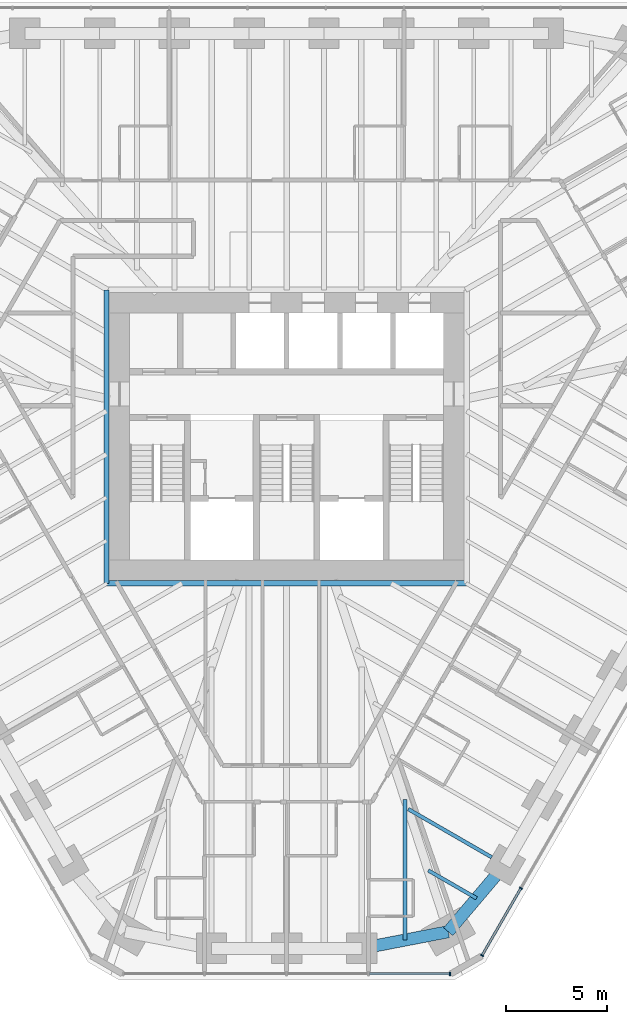
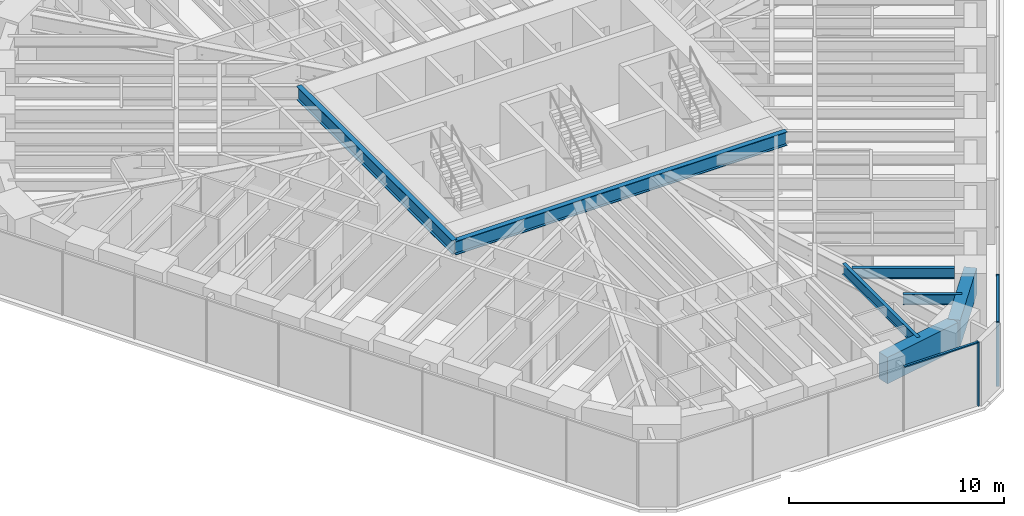
# One storey, part 4 of 17: 7 beams, 5 members, 2 elements without a shape of their own.
"""IFC4 building model written with IfcOpenShell, lengths in metres."""

import ifcopenshell
import ifcopenshell.guid

model = None  # the IFC model being written
_history = None  # IfcOwnerHistory: only IFC2X3 demands one
_inside = {}  # id of a spatial element -> (the spatial element, [elements in it])
_under = {}  # id of a project, library or spatial element -> (it, [spatial elements below it])
_declared = {}  # id of a project -> (the project, [libraries it declares])
_typed = {}  # id of a type object -> (the type object, [elements of that type])
_made_of = {}  # id of a material, layer set ... -> (it, [elements and type objects made of it])


def new_model(schema):
    """Start an empty IFC model of exactly this schema.

    Asked for "IFC4X3", IfcOpenShell would pick the latest addendum, in which some entities
    have other attributes; the version numbers below select the first issue.
    IFC2X3 requires an IfcOwnerHistory on every rooted entity: one is made here for all.
    """
    global model, _history
    if schema == "IFC4X3":
        model = ifcopenshell.file(schema_version=(4, 3, 0, 0))
    else:
        model = ifcopenshell.file(schema=schema)
    _inside.clear()
    _under.clear()
    _declared.clear()
    _typed.clear()
    _made_of.clear()
    _history = None
    if model.schema == "IFC2X3":
        org = make("IfcOrganization", Name="unknown")
        user = make(
            "IfcPersonAndOrganization",
            ThePerson=make("IfcPerson", FamilyName="unknown"),
            TheOrganization=org,
        )
        app = make(
            "IfcApplication",
            ApplicationDeveloper=org,
            Version="unknown",
            ApplicationFullName="unknown",
            ApplicationIdentifier="unknown",
        )
        _history = make(
            "IfcOwnerHistory",
            OwningUser=user,
            OwningApplication=app,
            ChangeAction="ADDED",
            CreationDate=0,
        )
    return model


def make(cls, **values):
    """One entity of the class cls with the attributes given. An attribute that is None is left unset."""
    return model.create_entity(
        cls, **{name: value for name, value in values.items() if value is not None}
    )


def rooted(cls, **values):
    """An entity with a GlobalId (a new one), such as an element, a storey or a relation."""
    return make(cls, GlobalId=ifcopenshell.guid.new(), OwnerHistory=_history, **values)


def si_unit(unit_type, name, prefix=None):
    """IfcSIUnit, for example si_unit("LENGTHUNIT", "METRE", prefix="MILLI")."""
    return make("IfcSIUnit", UnitType=unit_type, Prefix=prefix, Name=name)


def assignment(units):
    """IfcUnitAssignment: the units of a project."""
    return None if units is None else make("IfcUnitAssignment", Units=units)


def point(xyz):
    """IfcCartesianPoint."""
    return None if xyz is None else make("IfcCartesianPoint", Coordinates=xyz)


def direction(xyz):
    """IfcDirection."""
    return None if xyz is None else make("IfcDirection", DirectionRatios=xyz)


def frame(location, z_axis=None, x_axis=None):
    """IfcAxis2Placement3D, a coordinate frame: its origin and axes. An axis left out is left unset."""
    return make(
        "IfcAxis2Placement3D",
        Location=point(location),
        Axis=direction(z_axis),
        RefDirection=direction(x_axis),
    )


def frame_2d(location, x_axis=None):
    """IfcAxis2Placement2D, a coordinate frame in the plane: its origin and x axis."""
    return make(
        "IfcAxis2Placement2D", Location=point(location), RefDirection=direction(x_axis)
    )


def origin():
    """The frame at (0, 0, 0) with its axes left unset."""
    return frame((0.0, 0.0, 0.0))


def origin_2d():
    """The frame at (0, 0) in the plane with its x axis left unset."""
    return frame_2d((0.0, 0.0))


def place(relative_to, where):
    """IfcLocalPlacement: puts the frame where relative to a parent placement (None: the world)."""
    return make(
        "IfcLocalPlacement", PlacementRelTo=relative_to, RelativePlacement=where
    )


def context(
    kind, dimensions, precision=None, world=None, true_north=None, identifier=None
):
    """IfcGeometricRepresentationContext, for example the 3D "Model" context."""
    return make(
        "IfcGeometricRepresentationContext",
        ContextIdentifier=identifier,
        ContextType=kind,
        CoordinateSpaceDimension=dimensions,
        Precision=precision,
        WorldCoordinateSystem=world,
        TrueNorth=true_north,
    )


def subcontext(parent, identifier, kind, view, scale=None):
    """IfcGeometricRepresentationSubContext, for example "Body" below "Model"."""
    return make(
        "IfcGeometricRepresentationSubContext",
        ContextIdentifier=identifier,
        ContextType=kind,
        ParentContext=parent,
        TargetScale=scale,
        TargetView=view,
    )


def project(units=None, contexts=None):
    """IfcProject with its units and contexts."""
    return rooted(
        "IfcProject",
        Name="project",
        RepresentationContexts=contexts,
        UnitsInContext=assignment(units),
    )


def spatial(cls, under=None, at=None, **own):
    """A site, building, storey or space (cls), placed at a placement, below another one or the project."""
    s = rooted(cls, ObjectPlacement=at, **own)
    if under is not None:
        _under.setdefault(under.id(), (under, []))[1].append(s)
    return s


def profile(cls, at=None, kind="AREA", **sizes):
    """A parametric profile (cls). Its sizes go by their IFC names, for example OverallWidth=200.0."""
    return make(cls, ProfileType=kind, Position=at, **sizes)


def rectangle(**sizes):
    """IfcRectangleProfileDef."""
    return profile("IfcRectangleProfileDef", **sizes)


def i_section(**sizes):
    """IfcIShapeProfileDef."""
    return profile("IfcIShapeProfileDef", **sizes)


def extrude(swept, where, along, depth):
    """IfcExtrudedAreaSolid: the profile swept, set in the frame where, extruded along a direction by depth."""
    return make(
        "IfcExtrudedAreaSolid",
        SweptArea=swept,
        Position=where,
        ExtrudedDirection=direction(along),
        Depth=depth,
    )


def shape(context_of_items, identifier, shape_type, items):
    """IfcShapeRepresentation: the items that make up one representation, for example the "Body"."""
    return make(
        "IfcShapeRepresentation",
        ContextOfItems=context_of_items,
        RepresentationIdentifier=identifier,
        RepresentationType=shape_type,
        Items=items,
    )


def material(Name=None, Category=None):
    """IfcMaterial."""
    return make("IfcMaterial", Name=Name, Category=Category)


def material_profile(
    of_material, cross_section, Name=None, Category=None, Priority=None
):
    """IfcMaterialProfile: a cross section and its material."""
    return make(
        "IfcMaterialProfile",
        Name=Name,
        Material=of_material,
        Profile=cross_section,
        Priority=Priority,
        Category=Category,
    )


def profile_set(profiles, Name=None, composite=None):
    """IfcMaterialProfileSet."""
    return make(
        "IfcMaterialProfileSet",
        Name=Name,
        MaterialProfiles=profiles,
        CompositeProfile=composite,
    )


def made_of(thing, what):
    """Note that an element or type object is made of a material, layer set ...; save() writes the relation."""
    if what is not None:
        _made_of.setdefault(what.id(), (what, []))[1].append(thing)
    return thing


def type_object(cls, material=None, **own):
    """A type object (cls), such as IfcWallType, which elements share."""
    return made_of(rooted(cls, **own), material)


def element(
    cls,
    number,
    at=None,
    inside=None,
    cuts=None,
    type_object=None,
    material=None,
    context=None,
    identifier="Body",
    shape_type=None,
    held_by="IfcProductDefinitionShape",
    body=None,
    shapes=None,
    **own,
):
    """One element of the class cls, such as IfcWall. Its Tag is "e" and its number.

    at: its placement. inside: the storey or other place that contains it. cuts: it is an
    opening in that element (IfcRelVoidsElement). A single representation is given by context,
    identifier, shape_type and body (its items); several are given by shapes. held_by: the class
    of the entity that holds the representations. save() writes the other relations.
    """
    e = rooted(cls, Tag="e%d" % number, ObjectPlacement=at, **own)
    if body is not None:
        shapes = [shape(context, identifier, shape_type, body)]
    if shapes is not None:
        e.Representation = make(held_by, Representations=shapes)
    if inside is not None:
        _inside.setdefault(inside.id(), (inside, []))[1].append(e)
    if cuts is not None:
        rooted(
            "IfcRelVoidsElement", RelatingBuildingElement=cuts, RelatedOpeningElement=e
        )
    if type_object is not None:
        _typed.setdefault(type_object.id(), (type_object, []))[1].append(e)
    return made_of(e, material)


def aggregate(whole, parts):
    """IfcRelAggregates: a whole, such as a stair, and the parts it consists of."""
    return rooted("IfcRelAggregates", RelatingObject=whole, RelatedObjects=parts)


def save(model, path):
    """Write the relations noted so far, then the file.

    IfcRelAggregates (storeys below a building ...), IfcRelContainedInSpatialStructure (elements
    in a storey), IfcRelDefinesByType, IfcRelAssociatesMaterial and IfcRelDeclares: one each for
    every whole, place, type object, material and project.
    """
    for whole, parts in _under.values():
        aggregate(whole, parts)
    for where, things in _inside.values():
        rooted(
            "IfcRelContainedInSpatialStructure",
            RelatedElements=things,
            RelatingStructure=where,
        )
    for kind, things in _typed.values():
        rooted("IfcRelDefinesByType", RelatedObjects=things, RelatingType=kind)
    for what, things in _made_of.values():
        rooted("IfcRelAssociatesMaterial", RelatedObjects=things, RelatingMaterial=what)
    for by, libraries in _declared.values():
        rooted("IfcRelDeclares", RelatingContext=by, RelatedDefinitions=libraries)
    model.write(path)


model = new_model("IFC4")

# Units and contexts
model_context = context("Model", 3, precision=1e-05, world=origin(), true_north=direction((0.0, 1.0)))
body_context = subcontext(model_context, "Body", "Model", "MODEL_VIEW")
ifc_project = project(units=[si_unit("LENGTHUNIT", "METRE"), si_unit("AREAUNIT", "SQUARE_METRE"), si_unit("VOLUMEUNIT", "CUBIC_METRE"), si_unit("PLANEANGLEUNIT", "RADIAN"), si_unit("MASSUNIT", "GRAM", prefix="KILO")], contexts=[model_context])

# Site, building, storey
site_placement = place(None, origin())
site = spatial("IfcSite", under=ifc_project, at=site_placement, CompositionType="ELEMENT")
building_placement = place(site_placement, origin())
building = spatial("IfcBuilding", under=site, at=building_placement, Name="Sandreach Pilgrim Tower", CompositionType="ELEMENT")
storey_placement = place(building_placement, frame((0.0, 0.0, 213.60009765625)))
storey = spatial("IfcBuildingStorey", under=building, at=storey_placement, Name="L53", CompositionType="ELEMENT", Elevation=213.60009765625)

# Curtain wall, members
ifc_material_1 = material(Name="Aluminium framed curtain wall", Category="aluminium")
curtain_wall_type = type_object("IfcCurtainWallType", Name="Upper hotel tower curtain wall", PredefinedType="NOTDEFINED", material=ifc_material_1)
curtain_wall_1_placement = place(storey_placement, origin())
curtain_wall_1 = element("IfcCurtainWall", 1, at=curtain_wall_1_placement, inside=storey, type_object=curtain_wall_type, Name="CW-3 L53 SE", PredefinedType="NOTDEFINED")
ifc_material_2 = material(Name="Aluminium extrusion", Category="aluminium")
ifc_material_profile_1 = material_profile(ifc_material_2, rectangle(XDim=0.06494140625, YDim=0.159912109375, at=origin_2d()), Name="CW-3M 65X160")
ifc_profile_set_1 = profile_set([ifc_material_profile_1], Name="Aluminium extrusion")
member_type_1 = type_object("IfcMemberType", Name="CW-3 mullion", PredefinedType="MULLION", material=ifc_profile_set_1)
member_1_placement = place(storey_placement, frame((11.5625, -22.29345703125, 0.0), z_axis=(0.0, 0.0, 1.0), x_axis=(-0.5, -0.866025403784, 0.0)))
member_1 = element("IfcMember", 2, at=member_1_placement, type_object=member_type_1, Name="CW-3 mullion 9", PredefinedType="MULLION", context=body_context, shape_type="SweptSolid", body=[
    extrude(rectangle(XDim=0.06494140625, YDim=0.159912109375, at=origin_2d()), origin(), (0.0, 0.0, 1.0), 3.639892578125),
])
member_2_placement = place(storey_placement, frame((9.646484375, -25.612060546875, 0.0), z_axis=(0.0, 0.0, 1.0), x_axis=(-0.5, -0.866025403784, 0.0)))
member_2 = element("IfcMember", 3, at=member_2_placement, type_object=member_type_1, Name="CW-3 mullion 10", PredefinedType="MULLION", context=body_context, shape_type="SweptSolid", body=[
    extrude(rectangle(XDim=0.06494140625, YDim=0.159912109375, at=origin_2d()), origin(), (0.0, 0.0, 1.0), 3.639892578125),
])

# Curtain wall, member
curtain_wall_2_placement = place(storey_placement, origin())
curtain_wall_2 = element("IfcCurtainWall", 4, at=curtain_wall_2_placement, inside=storey, type_object=curtain_wall_type, Name="CW-3 L53 S", PredefinedType="NOTDEFINED")
member_3_placement = place(storey_placement, frame((8.06494140625, -26.525146484375, 0.0), z_axis=(0.0, 0.0, 1.0), x_axis=(-1.0, 0.0, 0.0)))
member_3 = element("IfcMember", 5, at=member_3_placement, type_object=member_type_1, Name="CW-3 mullion 1", PredefinedType="MULLION", context=body_context, shape_type="SweptSolid", body=[
    extrude(rectangle(XDim=0.06494140625, YDim=0.159912109375, at=origin_2d()), origin(), (0.0, 0.0, 1.0), 3.639892578125),
])

# Member
ifc_material_3 = material(Name="Aluminium extrusion", Category="aluminium")
ifc_material_profile_2 = material_profile(ifc_material_3, rectangle(XDim=0.1201171875, YDim=0.070068359375, at=origin_2d()), Name="CW-3T 120X70")
ifc_profile_set_2 = profile_set([ifc_material_profile_2], Name="Aluminium extrusion")
member_type_2 = type_object("IfcMemberType", Name="CW-3 transom", PredefinedType="USERDEFINED", material=ifc_profile_set_2)
member_4_placement = place(storey_placement, frame((11.546142578125, -22.321533203125, 3.60498046875), z_axis=(-0.499973055223, -0.8660409598, 0.0), x_axis=(0.8660409598, -0.499973055223, 0.0)))
member_4 = element("IfcMember", 6, at=member_4_placement, type_object=member_type_2, Name="CW-3 head transom 9", ObjectType="TRANSOM", PredefinedType="USERDEFINED", context=body_context, shape_type="SweptSolid", body=[
    extrude(rectangle(XDim=0.1201171875, YDim=0.070068359375, at=origin_2d()), origin(), (0.0, 0.0, 1.0), 3.766845703125),
])

aggregate(curtain_wall_1, [member_1, member_2, member_4])

member_5_placement = place(storey_placement, frame((8.032470703125, -26.525146484375, 3.60498046875), z_axis=(-1.0, 0.0, 0.0), x_axis=(0.0, -1.0, 0.0)))
member_5 = element("IfcMember", 7, at=member_5_placement, type_object=member_type_2, Name="CW-3 head transom 1", ObjectType="TRANSOM", PredefinedType="USERDEFINED", context=body_context, shape_type="SweptSolid", body=[
    extrude(rectangle(XDim=0.1201171875, YDim=0.070068359375, at=origin_2d()), origin(), (0.0, 0.0, 1.0), 3.951171875),
])

aggregate(curtain_wall_2, [member_3, member_5])

# Beams
ifc_material_4 = material(Name="Steel ASTM A992 Grade 50", Category="steel")
ifc_material_profile_3 = material_profile(ifc_material_4, i_section(OverallWidth=0.2666015625, OverallDepth=0.77978515625, WebThickness=0.0166015625, FlangeThickness=0.030029296875, at=origin_2d()), Name="W30X148")
ifc_profile_set_3 = profile_set([ifc_material_profile_3], Name="Steel ASTM A992 Grade 50")
beam_type_1 = type_object("IfcBeamType", Name="Core edge beam W30X148", PredefinedType="BEAM", material=ifc_profile_set_3)
beam_1_placement = place(storey_placement, frame((8.893310546875, -7.243408203125, 3.25), z_axis=(-1.0, 0.0, 0.0), x_axis=(0.0, -1.0, 0.0)))
element("IfcBeam", 8, at=beam_1_placement, inside=storey, type_object=beam_type_1, Name="BM L53 CES", PredefinedType="BEAM", context=body_context, shape_type="SweptSolid", body=[
    extrude(i_section(OverallWidth=0.2666015625, OverallDepth=0.77978515625, WebThickness=0.0166015625, FlangeThickness=0.030029296875, at=origin_2d()), origin(), (0.0, 0.0, 1.0), 17.78662109375),
])
beam_2_placement = place(storey_placement, frame((-8.893310546875, -7.243408203125, 3.25), z_axis=(0.0, 1.0, 0.0), x_axis=(-1.0, 0.0, 0.0)))
element("IfcBeam", 9, at=beam_2_placement, inside=storey, type_object=beam_type_1, Name="BM L53 CEW", PredefinedType="BEAM", context=body_context, shape_type="SweptSolid", body=[
    extrude(i_section(OverallWidth=0.2666015625, OverallDepth=0.77978515625, WebThickness=0.0166015625, FlangeThickness=0.030029296875, at=origin_2d()), origin(), (0.0, 0.0, 1.0), 14.48681640625),
])
ifc_material_5 = material(Name="Steel ASTM A992 Grade 50", Category="steel")
ifc_material_profile_4 = material_profile(ifc_material_5, i_section(OverallWidth=0.1787109375, OverallDepth=0.60205078125, WebThickness=0.010986328125, FlangeThickness=0.014892578125, at=origin_2d()), Name="W24X62")
ifc_profile_set_4 = profile_set([ifc_material_profile_4], Name="Steel ASTM A992 Grade 50")
beam_type_2 = type_object("IfcBeamType", Name="Floor beam W24X62", PredefinedType="BEAM", material=ifc_profile_set_4)
beam_3_placement = place(storey_placement, frame((10.12255859375, -20.767333984375, 3.3388671875), z_axis=(-0.86603347311, 0.499986023258, 0.0), x_axis=(-0.499986023258, -0.86603347311, 0.0)))
element("IfcBeam", 10, at=beam_3_placement, inside=storey, type_object=beam_type_2, Name="BM L53 F21", PredefinedType="BEAM", context=body_context, shape_type="SweptSolid", body=[
    extrude(i_section(OverallWidth=0.1787109375, OverallDepth=0.60205078125, WebThickness=0.010986328125, FlangeThickness=0.014892578125, at=origin_2d()), origin(), (0.0, 0.0, 1.0), 4.757568359375),
])
beam_4_placement = place(storey_placement, frame((9.375244140625, -22.7919921875, 3.3388671875), z_axis=(-0.866046803606, 0.49996293259, 0.0), x_axis=(-0.49996293259, -0.866046803606, 0.0)))
element("IfcBeam", 11, at=beam_4_placement, inside=storey, type_object=beam_type_2, Name="BM L53 FM21", PredefinedType="BEAM", context=body_context, shape_type="SweptSolid", body=[
    extrude(i_section(OverallWidth=0.1787109375, OverallDepth=0.60205078125, WebThickness=0.010986328125, FlangeThickness=0.014892578125, at=origin_2d()), origin(), (0.0, 0.0, 1.0), 2.753662109375),
])
beam_5_placement = place(storey_placement, frame((5.844482421875, -24.853515625, 3.3388671875), z_axis=(0.0, 1.0, 0.0), x_axis=(-1.0, 0.0, 0.0)))
element("IfcBeam", 12, at=beam_5_placement, inside=storey, type_object=beam_type_2, Name="BM L53 FM22", PredefinedType="BEAM", context=body_context, shape_type="SweptSolid", body=[
    extrude(i_section(OverallWidth=0.1787109375, OverallDepth=0.60205078125, WebThickness=0.010986328125, FlangeThickness=0.014892578125, at=origin_2d()), origin(), (0.0, 0.0, 1.0), 6.94921875),
])
ifc_material_6 = material(Name="Concrete 10000 psi", Category="concrete")
ifc_material_profile_5 = material_profile(ifc_material_6, rectangle(XDim=0.60009765625, YDim=1.5, at=origin_2d()), Name="RC600X1500")
ifc_profile_set_5 = profile_set([ifc_material_profile_5], Name="Concrete 10000 psi")
beam_type_3 = type_object("IfcBeamType", Name="Spandrel beam RC600X1500", PredefinedType="SPANDREL", material=ifc_profile_set_5)
beam_6_placement = place(storey_placement, frame((10.772216796875, -21.142333984375, 2.889892578125), z_axis=(-0.646180160755, -0.76318490541, 0.0), x_axis=(0.76318490541, -0.646180160755, 0.0)))
element("IfcBeam", 13, at=beam_6_placement, inside=storey, type_object=beam_type_3, Name="BM L53 SP21", PredefinedType="SPANDREL", context=body_context, shape_type="SweptSolid", body=[
    extrude(rectangle(XDim=0.60009765625, YDim=1.5, at=origin_2d()), origin(), (0.0, 0.0, 1.0), 4.323486328125),
])
beam_7_placement = place(storey_placement, frame((7.978515625, -24.44189453125, 2.889892578125), z_axis=(-0.981901333807, -0.18939316426, 0.0), x_axis=(0.18939316426, -0.981901333807, 0.0)))
element("IfcBeam", 14, at=beam_7_placement, inside=storey, type_object=beam_type_3, Name="BM L53 SP22", PredefinedType="SPANDREL", context=body_context, shape_type="SweptSolid", body=[
    extrude(rectangle(XDim=0.60009765625, YDim=1.5, at=origin_2d()), origin(), (0.0, 0.0, 1.0), 4.3466796875),
])

save(model, "model.ifc")
